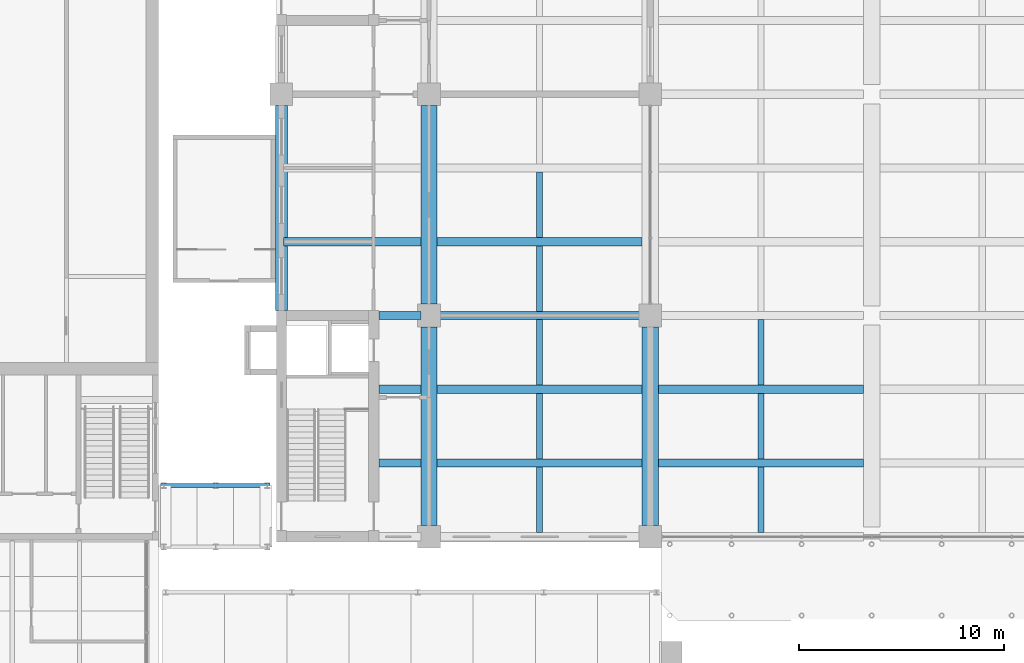
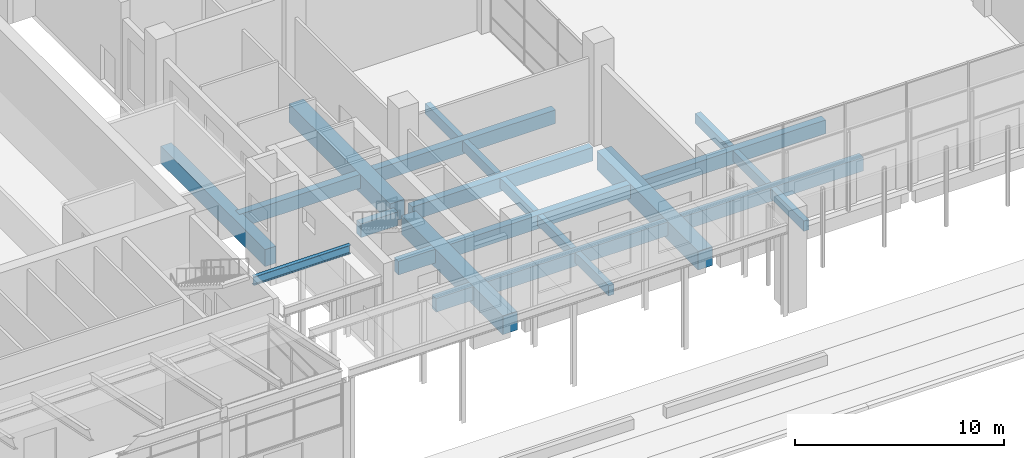
# One storey, part 20 of 71: 23 beams.
"""IFC4 building model written with IfcOpenShell, lengths in metres."""

from ifc_helpers import new_model, si_unit, direction, frame, origin, origin_2d, place, context, subcontext, project, spatial, rectangle, i_section, extrude, material, material_profile, profile_set, type_object, element, save


model = new_model("IFC4")

# Units and contexts
model_context = context("Model", 3, precision=1e-05, world=origin(), true_north=direction((0.0, 1.0)))
body_context = subcontext(model_context, "Body", "Model", "MODEL_VIEW")
ifc_project = project(units=[si_unit("LENGTHUNIT", "METRE"), si_unit("AREAUNIT", "SQUARE_METRE"), si_unit("VOLUMEUNIT", "CUBIC_METRE"), si_unit("PLANEANGLEUNIT", "RADIAN"), si_unit("MASSUNIT", "GRAM", prefix="KILO")], contexts=[model_context])

# Site, building, storey
site_placement = place(None, origin())
site = spatial("IfcSite", under=ifc_project, at=site_placement, CompositionType="ELEMENT")
building_placement = place(site_placement, origin())
building = spatial("IfcBuilding", under=site, at=building_placement, Name="Basin Gate Institute", CompositionType="ELEMENT")
storey_placement = place(building_placement, origin())
storey = spatial("IfcBuildingStorey", under=building, at=storey_placement, Name="L00", CompositionType="ELEMENT", Elevation=0.0)

# Beams
ifc_material_1 = material(Name="Concrete 40 MPa", Category="concrete")
ifc_material_profile_1 = material_profile(ifc_material_1, rectangle(XDim=0.39990234375, YDim=0.800048828125, at=origin_2d()), Name="Beam B2 400 x 800")
ifc_profile_set_1 = profile_set([ifc_material_profile_1], Name="Concrete 40 MPa")
beam_type_1 = type_object("IfcBeamType", Name="Beam B2 R180", PredefinedType="BEAM", material=ifc_profile_set_1)
beam_1_placement = place(storey_placement, frame((68.800048828125, 38.699951171875, -0.699951171875), z_axis=(1.0, 0.0, 0.0), x_axis=(0.0, 1.0, 0.0)))
element("IfcBeam", 1, at=beam_1_placement, inside=storey, type_object=beam_type_1, material=ifc_profile_set_1, Name="BEAM/L00/W/EW/02", PredefinedType="BEAM", context=body_context, shape_type="SweptSolid", body=[
    extrude(rectangle(XDim=0.39990234375, YDim=0.800048828125, at=origin_2d()), origin(), (0.0, 0.0, 1.0), 10.0),
])
beam_2_placement = place(storey_placement, frame((65.949951171875, 38.699951171875, -0.699951171875), z_axis=(1.0, 0.0, 0.0), x_axis=(0.0, 1.0, 0.0)))
element("IfcBeam", 2, at=beam_2_placement, inside=storey, type_object=beam_type_1, material=ifc_profile_set_1, Name="BEAM/L00/W/CORR/02", PredefinedType="BEAM", context=body_context, shape_type="SweptSolid", body=[
    extrude(rectangle(XDim=0.39990234375, YDim=0.800048828125, at=origin_2d()), origin(), (0.0, 0.0, 1.0), 2.050048828125),
])
beam_3_placement = place(storey_placement, frame((68.800048828125, 42.300048828125, -0.699951171875), z_axis=(1.0, 0.0, 0.0), x_axis=(0.0, 1.0, 0.0)))
element("IfcBeam", 3, at=beam_3_placement, inside=storey, type_object=beam_type_1, material=ifc_profile_set_1, Name="BEAM/L00/W/EW/03", PredefinedType="BEAM", context=body_context, shape_type="SweptSolid", body=[
    extrude(rectangle(XDim=0.39990234375, YDim=0.800048828125, at=origin_2d()), origin(), (0.0, 0.0, 1.0), 10.0),
])
beam_4_placement = place(storey_placement, frame((65.949951171875, 42.300048828125, -0.699951171875), z_axis=(1.0, 0.0, 0.0), x_axis=(0.0, 1.0, 0.0)))
element("IfcBeam", 4, at=beam_4_placement, inside=storey, type_object=beam_type_1, material=ifc_profile_set_1, Name="BEAM/L00/W/CORR/03", PredefinedType="BEAM", context=body_context, shape_type="SweptSolid", body=[
    extrude(rectangle(XDim=0.39990234375, YDim=0.800048828125, at=origin_2d()), origin(), (0.0, 0.0, 1.0), 2.050048828125),
])
beam_5_placement = place(storey_placement, frame((68.800048828125, 45.89990234375, -0.699951171875), z_axis=(1.0, 0.0, 0.0), x_axis=(0.0, 1.0, 0.0)))
element("IfcBeam", 5, at=beam_5_placement, inside=storey, type_object=beam_type_1, material=ifc_profile_set_1, Name="BEAM/L00/W/EW/04", PredefinedType="BEAM", context=body_context, shape_type="SweptSolid", body=[
    extrude(rectangle(XDim=0.39990234375, YDim=0.800048828125, at=origin_2d()), origin(), (0.0, 0.0, 1.0), 10.0),
])
beam_6_placement = place(storey_placement, frame((65.949951171875, 45.89990234375, -0.699951171875), z_axis=(1.0, 0.0, 0.0), x_axis=(0.0, 1.0, 0.0)))
element("IfcBeam", 6, at=beam_6_placement, inside=storey, type_object=beam_type_1, material=ifc_profile_set_1, Name="BEAM/L00/W/CORR/04", PredefinedType="BEAM", context=body_context, shape_type="SweptSolid", body=[
    extrude(rectangle(XDim=0.39990234375, YDim=0.800048828125, at=origin_2d()), origin(), (0.0, 0.0, 1.0), 2.050048828125),
])
beam_7_placement = place(storey_placement, frame((68.800048828125, 49.5, -0.699951171875), z_axis=(1.0, 0.0, 0.0), x_axis=(0.0, 1.0, 0.0)))
element("IfcBeam", 7, at=beam_7_placement, inside=storey, type_object=beam_type_1, material=ifc_profile_set_1, Name="BEAM/L00/W/EW/05", PredefinedType="BEAM", context=body_context, shape_type="SweptSolid", body=[
    extrude(rectangle(XDim=0.39990234375, YDim=0.800048828125, at=origin_2d()), origin(), (0.0, 0.0, 1.0), 10.0),
])
beam_8_placement = place(storey_placement, frame((61.300048828125, 49.5, -0.699951171875), z_axis=(1.0, 0.0, 0.0), x_axis=(0.0, 1.0, 0.0)))
element("IfcBeam", 8, at=beam_8_placement, inside=storey, type_object=beam_type_1, material=ifc_profile_set_1, Name="BEAM/L00/W/OUT/05", PredefinedType="BEAM", context=body_context, shape_type="SweptSolid", body=[
    extrude(rectangle(XDim=0.39990234375, YDim=0.800048828125, at=origin_2d()), origin(), (0.0, 0.0, 1.0), 6.699951171875),
])
for number, where, z_axis, x_axis, name in (
    (9, (79.60009765625, 38.699951171875, -0.699951171875), (1.0, 0.0, 0.0), (0.0, 1.0, 0.0), "BEAM/L00/CAN/W/02"),
    (10, (79.60009765625, 42.300048828125, -0.699951171875), (1.0, 0.0, 0.0), (0.0, 1.0, 0.0), "BEAM/L00/CAN/W/03"),
):
    element("IfcBeam", number, at=place(storey_placement, frame(where, z_axis=z_axis, x_axis=x_axis)), inside=storey, type_object=beam_type_1, material=ifc_profile_set_1, Name=name, PredefinedType="BEAM", context=body_context, shape_type="SweptSolid", body=[
        extrude(rectangle(XDim=0.39990234375, YDim=0.800048828125, at=origin_2d()), origin(), (0.0, 0.0, 1.0), 10.0),
    ])
ifc_material_2 = material(Name="Structural steel SN490", Category="steel")
ifc_material_profile_2 = material_profile(ifc_material_2, i_section(OverallWidth=0.199951171875, OverallDepth=0.5, WebThickness=0.010009765625, FlangeThickness=0.01611328125, FilletRadius=0.02001953125, at=origin_2d()), Name="H500x200")
ifc_profile_set_2 = profile_set([ifc_material_profile_2], Name="Structural steel SN490")
beam_type_2 = type_object("IfcBeamType", Name="Canopy beam SB1 R180", PredefinedType="BEAM", material=ifc_profile_set_2)
beam_9_placement = place(storey_placement, frame((55.300048828125, 37.60009765625, 5.050048828125), z_axis=(1.0, 0.0, 0.0), x_axis=(0.0, 1.0, 0.0)))
element("IfcBeam", 11, at=beam_9_placement, inside=storey, type_object=beam_type_2, material=ifc_profile_set_2, Name="West court passage beam 2", PredefinedType="BEAM", context=body_context, shape_type="SweptSolid", body=[
    extrude(i_section(OverallWidth=0.199951171875, OverallDepth=0.5, WebThickness=0.010009765625, FlangeThickness=0.01611328125, FilletRadius=0.02001953125, at=origin_2d()), origin(), (0.0, 0.0, 1.0), 5.349853515625),
])
ifc_material_3 = material(Name="Concrete 50 MPa", Category="concrete")
ifc_material_profile_3 = material_profile(ifc_material_3, rectangle(XDim=0.60009765625, YDim=1.0, at=origin_2d()), Name="Edge beam EB2 600 x 1000")
ifc_profile_set_3 = profile_set([ifc_material_profile_3], Name="Concrete 50 MPa")
beam_type_3 = type_object("IfcBeamType", Name="Edge beam EB2 R180", PredefinedType="SPANDREL", material=ifc_profile_set_3)
beam_10_placement = place(storey_placement, frame((61.199951171875, 46.14990234375, -0.800048828125), z_axis=(0.0, 1.0, 0.0), x_axis=(-1.0, 0.0, 0.0)))
element("IfcBeam", 12, at=beam_10_placement, inside=storey, type_object=beam_type_3, material=ifc_profile_set_3, Name="BEAM/L00/W/EDGE/1", PredefinedType="SPANDREL", context=body_context, shape_type="SweptSolid", body=[
    extrude(rectangle(XDim=0.60009765625, YDim=1.0, at=origin_2d()), origin(), (0.0, 0.0, 1.0), 10.0),
])
ifc_material_4 = material(Name="Concrete 50 MPa", Category="concrete")
ifc_material_profile_4 = material_profile(ifc_material_4, rectangle(XDim=0.800048828125, YDim=1.10009765625, at=origin_2d()), Name="Girder G2 800 x 1100")
ifc_profile_set_4 = profile_set([ifc_material_profile_4], Name="Concrete 50 MPa")
beam_type_4 = type_object("IfcBeamType", Name="Girder G2 R180", PredefinedType="BEAM", material=ifc_profile_set_4)
beam_11_placement = place(storey_placement, frame((68.39990234375, 35.64990234375, -0.85009765625), z_axis=(0.0, 1.0, 0.0), x_axis=(-1.0, 0.0, 0.0)))
element("IfcBeam", 13, at=beam_11_placement, inside=storey, type_object=beam_type_4, material=ifc_profile_set_4, Name="GIR/L00/W5/1", PredefinedType="BEAM", context=body_context, shape_type="SweptSolid", body=[
    extrude(rectangle(XDim=0.800048828125, YDim=1.10009765625, at=origin_2d()), origin(), (0.0, 0.0, 1.0), 9.7001953125),
])
beam_12_placement = place(storey_placement, frame((68.39990234375, 46.449951171875, -0.85009765625), z_axis=(0.0, 1.0, 0.0), x_axis=(-1.0, 0.0, 0.0)))
element("IfcBeam", 14, at=beam_12_placement, inside=storey, type_object=beam_type_4, material=ifc_profile_set_4, Name="GIR/L00/W5/2", PredefinedType="BEAM", context=body_context, shape_type="SweptSolid", body=[
    extrude(rectangle(XDim=0.800048828125, YDim=1.10009765625, at=origin_2d()), origin(), (0.0, 0.0, 1.0), 9.699951171875),
])
beam_13_placement = place(storey_placement, frame((79.199951171875, 35.64990234375, -0.85009765625), z_axis=(0.0, 1.0, 0.0), x_axis=(-1.0, 0.0, 0.0)))
element("IfcBeam", 15, at=beam_13_placement, inside=storey, type_object=beam_type_4, material=ifc_profile_set_4, Name="GIR/L00/W6/1", PredefinedType="BEAM", context=body_context, shape_type="SweptSolid", body=[
    extrude(rectangle(XDim=0.800048828125, YDim=1.10009765625, at=origin_2d()), origin(), (0.0, 0.0, 1.0), 9.7001953125),
])
ifc_material_5 = material(Name="Concrete 40 MPa", Category="concrete")
ifc_material_profile_5 = material_profile(ifc_material_5, rectangle(XDim=0.300048828125, YDim=0.60009765625, at=origin_2d()), Name="Rib R2 300 x 600")
ifc_profile_set_5 = profile_set([ifc_material_profile_5], Name="Concrete 40 MPa")
beam_type_5 = type_object("IfcBeamType", Name="Rib R2 R180", PredefinedType="JOIST", material=ifc_profile_set_5)
beam_14_placement = place(storey_placement, frame((73.800048828125, 35.300048828125, -0.60009765625), z_axis=(0.0, 1.0, 0.0), x_axis=(-1.0, 0.0, 0.0)))
element("IfcBeam", 16, at=beam_14_placement, inside=storey, type_object=beam_type_5, material=ifc_profile_set_5, Name="BEAM/L00/W/RIB/01", PredefinedType="JOIST", context=body_context, shape_type="SweptSolid", body=[
    extrude(rectangle(XDim=0.300048828125, YDim=0.60009765625, at=origin_2d()), origin(), (0.0, 0.0, 1.0), 3.199951171875),
])
beam_15_placement = place(storey_placement, frame((73.800048828125, 38.89990234375, -0.60009765625), z_axis=(0.0, 1.0, 0.0), x_axis=(-1.0, 0.0, 0.0)))
element("IfcBeam", 17, at=beam_15_placement, inside=storey, type_object=beam_type_5, material=ifc_profile_set_5, Name="BEAM/L00/W/RIB/02", PredefinedType="JOIST", context=body_context, shape_type="SweptSolid", body=[
    extrude(rectangle(XDim=0.300048828125, YDim=0.60009765625, at=origin_2d()), origin(), (0.0, 0.0, 1.0), 3.2001953125),
])
for number, where, z_axis, x_axis, name in (
    (18, (73.800048828125, 42.5, -0.60009765625), (0.0, 1.0, 0.0), (-1.0, 0.0, 0.0), "BEAM/L00/W/RIB/03"),
    (19, (73.800048828125, 46.10009765625, -0.60009765625), (0.0, 1.0, 0.0), (-1.0, 0.0, 0.0), "BEAM/L00/W/RIB/04"),
    (20, (73.800048828125, 49.699951171875, -0.60009765625), (0.0, 1.0, 0.0), (-1.0, 0.0, 0.0), "BEAM/L00/W/RIB/05"),
    (21, (84.60009765625, 35.300048828125, -0.60009765625), (0.0, 1.0, 0.0), (-1.0, 0.0, 0.0), "BEAM/L00/CAN/RIBW/01"),
):
    element("IfcBeam", number, at=place(storey_placement, frame(where, z_axis=z_axis, x_axis=x_axis)), inside=storey, type_object=beam_type_5, material=ifc_profile_set_5, Name=name, PredefinedType="JOIST", context=body_context, shape_type="SweptSolid", body=[
        extrude(rectangle(XDim=0.300048828125, YDim=0.60009765625, at=origin_2d()), origin(), (0.0, 0.0, 1.0), 3.199951171875),
    ])
beam_16_placement = place(storey_placement, frame((84.60009765625, 38.89990234375, -0.60009765625), z_axis=(0.0, 1.0, 0.0), x_axis=(-1.0, 0.0, 0.0)))
element("IfcBeam", 22, at=beam_16_placement, inside=storey, type_object=beam_type_5, material=ifc_profile_set_5, Name="BEAM/L00/CAN/RIBW/02", PredefinedType="JOIST", context=body_context, shape_type="SweptSolid", body=[
    extrude(rectangle(XDim=0.300048828125, YDim=0.60009765625, at=origin_2d()), origin(), (0.0, 0.0, 1.0), 3.2001953125),
])
beam_17_placement = place(storey_placement, frame((84.60009765625, 42.5, -0.60009765625), z_axis=(0.0, 1.0, 0.0), x_axis=(-1.0, 0.0, 0.0)))
element("IfcBeam", 23, at=beam_17_placement, inside=storey, type_object=beam_type_5, material=ifc_profile_set_5, Name="BEAM/L00/CAN/RIBW/03", PredefinedType="JOIST", context=body_context, shape_type="SweptSolid", body=[
    extrude(rectangle(XDim=0.300048828125, YDim=0.60009765625, at=origin_2d()), origin(), (0.0, 0.0, 1.0), 3.199951171875),
])

save(model, "model.ifc")
